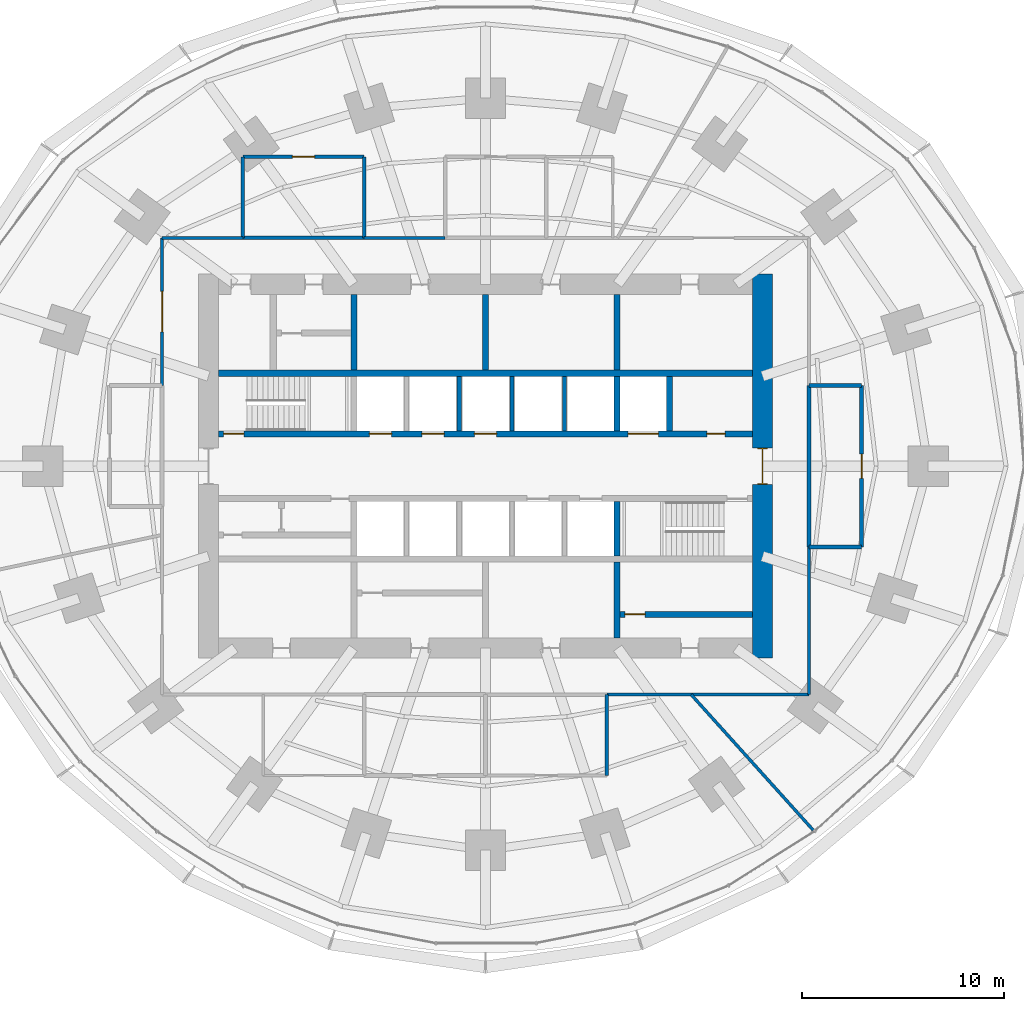
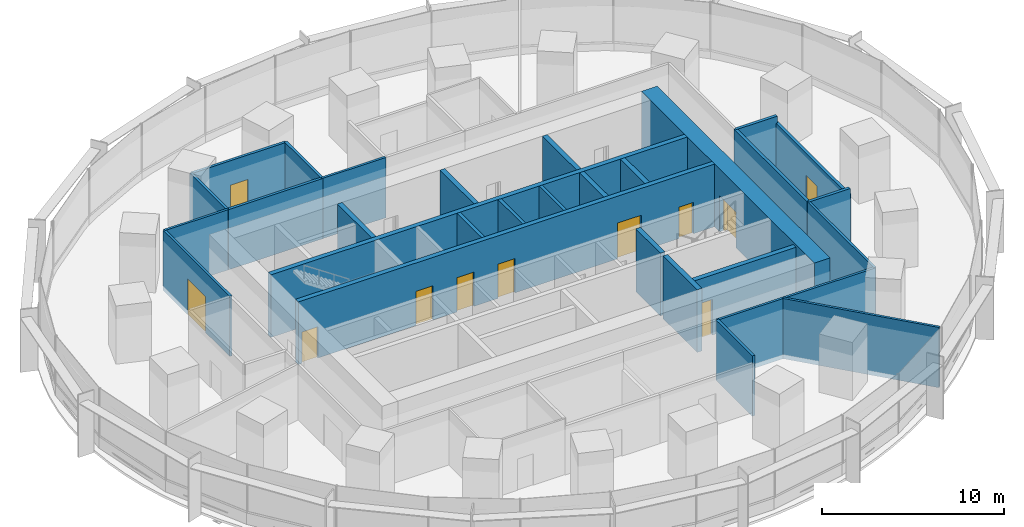
# One storey, part 12 of 15: 29 walls, 11 doors, 11 openings.
"""IFC4 building model written with IfcOpenShell, lengths in metres."""

from ifc_helpers import new_model, si_unit, direction, frame, frame_2d, origin, place, context, subcontext, project, spatial, rectangle, extrude, material, layer, layer_set, type_object, element, fill, save


model = new_model("IFC4")

# Units and contexts
model_context = context("Model", 3, precision=1e-05, world=origin(), true_north=direction((0.0, 1.0)))
body_context = subcontext(model_context, "Body", "Model", "MODEL_VIEW")
ifc_project = project(units=[si_unit("LENGTHUNIT", "METRE"), si_unit("AREAUNIT", "SQUARE_METRE"), si_unit("VOLUMEUNIT", "CUBIC_METRE"), si_unit("PLANEANGLEUNIT", "RADIAN"), si_unit("MASSUNIT", "GRAM", prefix="KILO")], contexts=[model_context])

# Site, building, storey
site_placement = place(None, origin())
site = spatial("IfcSite", under=ifc_project, at=site_placement, CompositionType="ELEMENT")
building_placement = place(site_placement, origin())
building = spatial("IfcBuilding", under=site, at=building_placement, Name="Marramba Exchange Tower", CompositionType="ELEMENT")
storey_placement = place(building_placement, frame((0.0, 0.0, 53.199951171875)))
storey = spatial("IfcBuildingStorey", under=building, at=storey_placement, Name="L12", CompositionType="ELEMENT", Elevation=53.199951171875)

# Walls
ifc_material_1 = material(Name="Plasterboard on staggered double steel studs, acoustic insulation", Category="steel")
ifc_layer_1 = layer(ifc_material_1, 0.169921875)
ifc_layer_set_1 = layer_set([ifc_layer_1], Name="Acoustic partition 170")
wall_type_1 = type_object("IfcWallType", Name="Acoustic partition 170", PredefinedType="PARTITIONING", material=ifc_layer_set_1)
for number, where, z_axis, x_axis, name in (
    (1, (6.0, -15.300048828125, 0.0), (0.0, 0.0, 1.0), (0.0, 1.0, 0.0), "Acoustic partition L12 13"),
    (2, (-6.0, 11.300048828125, 0.0), (0.0, 0.0, 1.0), (0.0, 1.0, 0.0), "Acoustic partition L12 31"),
):
    element("IfcWall", number, at=place(storey_placement, frame(where, z_axis=z_axis, x_axis=x_axis)), inside=storey, type_object=wall_type_1, Name=name, PredefinedType="PARTITIONING", context=body_context, shape_type="SweptSolid", body=[
        extrude(rectangle(XDim=4.0, YDim=0.169921875, at=frame_2d((2.0, 0.0))), origin(), (0.0, 0.0, 1.0), 4.0400390625),
    ])

# Wall, opening, door
wall_1_placement = place(storey_placement, frame((-6.0, 15.300048828125, 0.0), z_axis=(0.0, 0.0, 1.0), x_axis=(-1.0, 0.0, 0.0)))
wall_1 = element("IfcWall", 3, at=wall_1_placement, inside=storey, type_object=wall_type_1, Name="Acoustic partition L12 32", PredefinedType="PARTITIONING", context=body_context, shape_type="SweptSolid", body=[
    extrude(rectangle(XDim=6.0, YDim=0.169921875, at=frame_2d((3.0, 0.0))), origin(), (0.0, 0.0, 1.0), 4.0400390625),
])
opening_1_placement = place(wall_1_placement, frame((2.449951171875, 0.0, 0.0)))
opening_1 = element("IfcOpeningElement", 4, at=opening_1_placement, cuts=wall_1, Name="Opening D15", PredefinedType="OPENING", context=body_context, shape_type="SweptSolid", body=[
    extrude(rectangle(XDim=1.10009765625, YDim=2.39990234375, at=frame_2d((0.550048828125, 1.199951171875))), frame((0.0, 0.094970703125, 0.0), z_axis=(0.0, -1.0, 0.0), x_axis=(1.0, 0.0, 0.0)), (0.0, 0.0, 1.0), 0.18994140625),
])
ifc_material_2 = material(Name="Timber door", Category="wood")
door_type_1 = type_object("IfcDoorType", Name="Glazed meeting room door 1100x2400", OperationType="SINGLE_SWING_LEFT", PredefinedType="DOOR", material=ifc_material_2)
door_1_placement = place(opening_1_placement, origin())
door_1 = element("IfcDoor", 5, at=door_1_placement, inside=storey, type_object=door_type_1, Name="D15 Meeting Room 2 L12", OperationType="SINGLE_SWING_RIGHT", OverallHeight=2.39990234375, OverallWidth=1.10009765625, PredefinedType="DOOR", context=body_context, shape_type="SweptSolid", body=[
    extrude(rectangle(XDim=1.10009765625, YDim=2.39990234375, at=frame_2d((0.550048828125, 1.199951171875))), frame((0.0, 0.02490234375, 0.0), z_axis=(0.0, -1.0, 0.0), x_axis=(1.0, 0.0, 0.0)), (0.0, 0.0, 1.0), 0.050048828125),
])
fill(opening_1, door_1)

# Walls
wall_2_placement = place(storey_placement, frame((-12.0, 11.300048828125, 0.0), z_axis=(0.0, 0.0, 1.0), x_axis=(1.0, 0.0, 0.0)))
element("IfcWall", 6, at=wall_2_placement, inside=storey, type_object=wall_type_1, Name="Acoustic partition L12 33", PredefinedType="PARTITIONING", context=body_context, shape_type="SweptSolid", body=[
    extrude(rectangle(XDim=6.0, YDim=0.169921875, at=frame_2d((3.0, 0.0))), origin(), (0.0, 0.0, 1.0), 4.0400390625),
])
wall_3_placement = place(storey_placement, frame((-12.0, 15.300048828125, 0.0), z_axis=(0.0, 0.0, 1.0), x_axis=(0.0, -1.0, 0.0)))
element("IfcWall", 7, at=wall_3_placement, inside=storey, type_object=wall_type_1, Name="Acoustic partition L12 34", PredefinedType="PARTITIONING", context=body_context, shape_type="SweptSolid", body=[
    extrude(rectangle(XDim=4.0, YDim=0.169921875, at=frame_2d((2.0, 0.0))), origin(), (0.0, 0.0, 1.0), 4.0400390625),
])
ifc_material_3 = material(Name="Concrete N50", Category="concrete")
ifc_layer_2 = layer(ifc_material_3, 0.199951171875)
ifc_layer_set_2 = layer_set([ifc_layer_2], Name="Core shaft wall 200")
wall_type_2 = type_object("IfcWallType", Name="Core shaft wall 200", PredefinedType="SHEAR", material=ifc_layer_set_2)
for number, where, z_axis, x_axis, name in (
    (8, (-1.300048828125, 1.75, 0.0), (0.0, 0.0, 1.0), (0.0, 1.0, 0.0), "Core wall SHN2 L12"),
    (9, (1.300048828125, 1.75, 0.0), (0.0, 0.0, 1.0), (0.0, 1.0, 0.0), "Core wall SHN3 L12"),
    (10, (3.89990234375, 1.75, 0.0), (0.0, 0.0, 1.0), (0.0, 1.0, 0.0), "Core wall SHN4 L12"),
):
    element("IfcWall", number, at=place(storey_placement, frame(where, z_axis=z_axis, x_axis=x_axis)), inside=storey, type_object=wall_type_2, Name=name, PredefinedType="SHEAR", context=body_context, shape_type="SweptSolid", body=[
        extrude(rectangle(XDim=2.699951171875, YDim=0.199951171875, at=frame_2d((1.35009765625, 0.0))), origin(), (0.0, 0.0, 1.0), 4.199951171875),
    ])

# Wall, opening, door
ifc_layer_3 = layer(ifc_material_3, 1.0)
ifc_layer_set_3 = layer_set([ifc_layer_3], Name="Core wall 1000")
wall_type_3 = type_object("IfcWallType", Name="Core wall 1000", PredefinedType="SHEAR", material=ifc_layer_set_3)
wall_4_placement = place(storey_placement, frame((13.699951171875, -9.5, 0.0), z_axis=(0.0, 0.0, 1.0), x_axis=(0.0, 1.0, 0.0)))
wall_4 = element("IfcWall", 11, at=wall_4_placement, inside=storey, type_object=wall_type_3, Name="Core wall E L12", PredefinedType="SHEAR", context=body_context, shape_type="SweptSolid", body=[
    extrude(rectangle(XDim=19.0, YDim=1.0, at=frame_2d((9.5, 0.0))), origin(), (0.0, 0.0, 1.0), 4.199951171875),
])
opening_2_placement = place(wall_4_placement, frame((8.60009765625, 0.0, 0.0)))
opening_2 = element("IfcOpeningElement", 12, at=opening_2_placement, cuts=wall_4, Name="Opening D1", PredefinedType="OPENING", context=body_context, shape_type="SweptSolid", body=[
    extrude(rectangle(XDim=1.800048828125, YDim=2.39990234375, at=frame_2d((0.89990234375, 1.199951171875))), frame((0.0, 0.510009765625, 0.0), z_axis=(0.0, -1.0, 0.0), x_axis=(1.0, 0.0, 0.0)), (0.0, 0.0, 1.0), 1.02001953125),
])
ifc_material_4 = material(Name="Steel-framed door", Category="steel")
door_type_2 = type_object("IfcDoorType", Name="Lobby exit door 1800x2400", OperationType="DOUBLE_DOOR_SINGLE_SWING", PredefinedType="DOOR", material=ifc_material_4)
door_2_placement = place(opening_2_placement, origin())
door_2 = element("IfcDoor", 13, at=door_2_placement, inside=storey, type_object=door_type_2, Name="D1 lobby exit east L12", OperationType="DOUBLE_DOOR_SINGLE_SWING", OverallHeight=2.39990234375, OverallWidth=1.800048828125, PredefinedType="DOOR", context=body_context, shape_type="SweptSolid", body=[
    extrude(rectangle(XDim=1.719970703125, YDim=2.35986328125, at=frame_2d((0.89990234375, 1.179931640625))), frame((0.0, 0.02490234375, 0.0), z_axis=(0.0, -1.0, 0.0), x_axis=(1.0, 0.0, 0.0)), (0.0, 0.0, 1.0), 0.050048828125),
    extrude(rectangle(XDim=0.04, YDim=2.39990234375, at=frame_2d((0.02001953125, 1.199951171875))), frame((0.0, 0.25, 0.0), z_axis=(0.0, -1.0, 0.0), x_axis=(1.0, 0.0, 0.0)), (0.0, 0.0, 1.0), 0.5),
    extrude(rectangle(XDim=0.04, YDim=2.39990234375, at=frame_2d((1.780029296875, 1.199951171875))), frame((0.0, 0.25, 0.0), z_axis=(0.0, -1.0, 0.0), x_axis=(1.0, 0.0, 0.0)), (0.0, 0.0, 1.0), 0.5),
    extrude(rectangle(XDim=1.719970703125, YDim=0.04, at=frame_2d((0.89990234375, 2.3798828125))), frame((0.0, 0.25, 0.0), z_axis=(0.0, -1.0, 0.0), x_axis=(1.0, 0.0, 0.0)), (0.0, 0.0, 1.0), 0.5),
])
fill(opening_2, door_2)

# Wall, openings, doors
ifc_layer_4 = layer(ifc_material_3, 0.300048828125)
ifc_layer_set_4 = layer_set([ifc_layer_4], Name="Core wall 300")
wall_type_4 = type_object("IfcWallType", Name="Core wall 300", PredefinedType="SHEAR", material=ifc_layer_set_4)
wall_5_placement = place(storey_placement, frame((-13.199951171875, 1.60009765625, 0.0), z_axis=(0.0, 0.0, 1.0), x_axis=(1.0, 0.0, 0.0)))
wall_5 = element("IfcWall", 14, at=wall_5_placement, inside=storey, type_object=wall_type_4, Name="Core wall LN L12", PredefinedType="SHEAR", context=body_context, shape_type="SweptSolid", body=[
    extrude(rectangle(XDim=26.39990234375, YDim=0.300048828125, at=frame_2d((13.199951171875, 0.0))), origin(), (0.0, 0.0, 1.0), 4.199951171875),
])
opening_3_placement = place(wall_5_placement, frame((0.25, 0.0, 0.0)))
opening_3 = element("IfcOpeningElement", 15, at=opening_3_placement, cuts=wall_5, Name="Opening D2", PredefinedType="OPENING", context=body_context, shape_type="SweptSolid", body=[
    extrude(rectangle(XDim=1.0, YDim=2.10009765625, at=frame_2d((0.5, 1.050048828125))), frame((0.0, 0.159912109375, 0.0), z_axis=(0.0, -1.0, 0.0), x_axis=(1.0, 0.0, 0.0)), (0.0, 0.0, 1.0), 0.320068359375),
])
opening_4_placement = place(wall_5_placement, frame((20.25, 0.0, 0.0)))
opening_4 = element("IfcOpeningElement", 16, at=opening_4_placement, cuts=wall_5, Name="Opening LD3", PredefinedType="OPENING", context=body_context, shape_type="SweptSolid", body=[
    extrude(rectangle(XDim=1.5, YDim=2.39990234375, at=frame_2d((0.75, 1.199951171875))), frame((0.0, 0.159912109375, 0.0), z_axis=(0.0, -1.0, 0.0), x_axis=(1.0, 0.0, 0.0)), (0.0, 0.0, 1.0), 0.320068359375),
])
opening_5_placement = place(wall_5_placement, frame((7.449951171875, 0.0, 0.0)))
opening_5 = element("IfcOpeningElement", 17, at=opening_5_placement, cuts=wall_5, Name="Opening LD1", PredefinedType="OPENING", context=body_context, shape_type="SweptSolid", body=[
    extrude(rectangle(XDim=1.10009765625, YDim=2.300048828125, at=frame_2d((0.550048828125, 1.14990234375))), frame((0.0, 0.159912109375, 0.0), z_axis=(0.0, -1.0, 0.0), x_axis=(1.0, 0.0, 0.0)), (0.0, 0.0, 1.0), 0.320068359375),
])
opening_6_placement = place(wall_5_placement, frame((10.050048828125, 0.0, 0.0)))
opening_6 = element("IfcOpeningElement", 18, at=opening_6_placement, cuts=wall_5, Name="Opening LD1", PredefinedType="OPENING", context=body_context, shape_type="SweptSolid", body=[
    extrude(rectangle(XDim=1.10009765625, YDim=2.300048828125, at=frame_2d((0.550048828125, 1.14990234375))), frame((0.0, 0.159912109375, 0.0), z_axis=(0.0, -1.0, 0.0), x_axis=(1.0, 0.0, 0.0)), (0.0, 0.0, 1.0), 0.320068359375),
])
opening_7_placement = place(wall_5_placement, frame((12.64990234375, 0.0, 0.0)))
opening_7 = element("IfcOpeningElement", 19, at=opening_7_placement, cuts=wall_5, Name="Opening LD1", PredefinedType="OPENING", context=body_context, shape_type="SweptSolid", body=[
    extrude(rectangle(XDim=1.10009765625, YDim=2.300048828125, at=frame_2d((0.550048828125, 1.14990234375))), frame((0.0, 0.159912109375, 0.0), z_axis=(0.0, -1.0, 0.0), x_axis=(1.0, 0.0, 0.0)), (0.0, 0.0, 1.0), 0.320068359375),
])
opening_8_placement = place(wall_5_placement, frame((24.14990234375, 0.0, 0.0)))
opening_8 = element("IfcOpeningElement", 20, at=opening_8_placement, cuts=wall_5, Name="Opening D5", PredefinedType="OPENING", context=body_context, shape_type="SweptSolid", body=[
    extrude(rectangle(XDim=0.89990234375, YDim=2.10009765625, at=frame_2d((0.449951171875, 1.050048828125))), frame((0.0, 0.159912109375, 0.0), z_axis=(0.0, -1.0, 0.0), x_axis=(1.0, 0.0, 0.0)), (0.0, 0.0, 1.0), 0.320068359375),
])
door_type_3 = type_object("IfcDoorType", Name="Goods lift landing door 1500x2400", OperationType="SLIDING_TO_LEFT", PredefinedType="DOOR", material=ifc_material_4)
door_3_placement = place(opening_4_placement, origin())
door_3 = element("IfcDoor", 21, at=door_3_placement, inside=storey, type_object=door_type_3, Name="GL1 landing door L12", OperationType="SLIDING_TO_LEFT", OverallHeight=2.39990234375, OverallWidth=1.5, PredefinedType="DOOR", context=body_context, shape_type="SweptSolid", body=[
    extrude(rectangle(XDim=1.5, YDim=2.39990234375, at=frame_2d((0.75, 1.199951171875))), frame((0.0, 0.02490234375, 0.0), z_axis=(0.0, -1.0, 0.0), x_axis=(1.0, 0.0, 0.0)), (0.0, 0.0, 1.0), 0.050048828125),
])
fill(opening_4, door_3)
door_type_4 = type_object("IfcDoorType", Name="Lift landing door 1100x2300", OperationType="SLIDING_TO_LEFT", PredefinedType="DOOR", material=ifc_material_4)
door_4_placement = place(opening_5_placement, origin())
door_4 = element("IfcDoor", 22, at=door_4_placement, inside=storey, type_object=door_type_4, Name="LA1 landing door L12", OperationType="SLIDING_TO_LEFT", OverallHeight=2.300048828125, OverallWidth=1.10009765625, PredefinedType="DOOR", context=body_context, shape_type="SweptSolid", body=[
    extrude(rectangle(XDim=1.10009765625, YDim=2.300048828125, at=frame_2d((0.550048828125, 1.14990234375))), frame((0.0, 0.02490234375, 0.0), z_axis=(0.0, -1.0, 0.0), x_axis=(1.0, 0.0, 0.0)), (0.0, 0.0, 1.0), 0.050048828125),
])
fill(opening_5, door_4)
door_5_placement = place(opening_6_placement, origin())
door_5 = element("IfcDoor", 23, at=door_5_placement, inside=storey, type_object=door_type_4, Name="LA2 landing door L12", OperationType="SLIDING_TO_LEFT", OverallHeight=2.300048828125, OverallWidth=1.10009765625, PredefinedType="DOOR", context=body_context, shape_type="SweptSolid", body=[
    extrude(rectangle(XDim=1.10009765625, YDim=2.300048828125, at=frame_2d((0.550048828125, 1.14990234375))), frame((0.0, 0.02490234375, 0.0), z_axis=(0.0, -1.0, 0.0), x_axis=(1.0, 0.0, 0.0)), (0.0, 0.0, 1.0), 0.050048828125),
])
fill(opening_6, door_5)
door_6_placement = place(opening_7_placement, origin())
door_6 = element("IfcDoor", 24, at=door_6_placement, inside=storey, type_object=door_type_4, Name="LA3 landing door L12", OperationType="SLIDING_TO_RIGHT", OverallHeight=2.300048828125, OverallWidth=1.10009765625, PredefinedType="DOOR", context=body_context, shape_type="SweptSolid", body=[
    extrude(rectangle(XDim=1.10009765625, YDim=2.300048828125, at=frame_2d((0.550048828125, 1.14990234375))), frame((0.0, 0.02490234375, 0.0), z_axis=(0.0, -1.0, 0.0), x_axis=(1.0, 0.0, 0.0)), (0.0, 0.0, 1.0), 0.050048828125),
])
fill(opening_7, door_6)
door_type_5 = type_object("IfcDoorType", Name="Service door 900x2100", OperationType="SINGLE_SWING_LEFT", PredefinedType="DOOR", material=ifc_material_4)
door_7_placement = place(opening_8_placement, origin())
door_7 = element("IfcDoor", 25, at=door_7_placement, inside=storey, type_object=door_type_5, Name="D5 riser L12", OperationType="SINGLE_SWING_RIGHT", OverallHeight=2.10009765625, OverallWidth=0.89990234375, PredefinedType="DOOR", context=body_context, shape_type="SweptSolid", body=[
    extrude(rectangle(XDim=0.89990234375, YDim=2.10009765625, at=frame_2d((0.449951171875, 1.050048828125))), frame((0.0, 0.02490234375, 0.0), z_axis=(0.0, -1.0, 0.0), x_axis=(1.0, 0.0, 0.0)), (0.0, 0.0, 1.0), 0.050048828125),
])
fill(opening_8, door_7)
door_type_6 = type_object("IfcDoorType", Name="Stair door 1000x2100", OperationType="SINGLE_SWING_LEFT", PredefinedType="DOOR", material=ifc_material_4)
door_8_placement = place(opening_3_placement, origin())
door_8 = element("IfcDoor", 26, at=door_8_placement, inside=storey, type_object=door_type_6, Name="D2 stair ST1 L12", OperationType="SINGLE_SWING_LEFT", OverallHeight=2.10009765625, OverallWidth=1.0, PredefinedType="DOOR", context=body_context, shape_type="SweptSolid", body=[
    extrude(rectangle(XDim=1.0, YDim=2.10009765625, at=frame_2d((0.5, 1.050048828125))), frame((0.0, 0.02490234375, 0.0), z_axis=(0.0, -1.0, 0.0), x_axis=(1.0, 0.0, 0.0)), (0.0, 0.0, 1.0), 0.050048828125),
])
fill(opening_3, door_8)

# Walls
wall_6_placement = place(storey_placement, frame((-13.199951171875, 4.60009765625, 0.0), z_axis=(0.0, 0.0, 1.0), x_axis=(1.0, 0.0, 0.0)))
element("IfcWall", 27, at=wall_6_placement, inside=storey, type_object=wall_type_4, Name="Core wall BN L12", PredefinedType="SHEAR", context=body_context, shape_type="SweptSolid", body=[
    extrude(rectangle(XDim=26.39990234375, YDim=0.300048828125, at=frame_2d((13.199951171875, 0.0))), origin(), (0.0, 0.0, 1.0), 4.199951171875),
])
wall_7_placement = place(storey_placement, frame((-6.5, 4.75, 0.0), z_axis=(0.0, 0.0, 1.0), x_axis=(0.0, 1.0, 0.0)))
element("IfcWall", 28, at=wall_7_placement, inside=storey, type_object=wall_type_4, Name="Core wall X0Nb L12", PredefinedType="SHEAR", context=body_context, shape_type="SweptSolid", body=[
    extrude(rectangle(XDim=3.75, YDim=0.300048828125, at=frame_2d((1.875, 0.0))), origin(), (0.0, 0.0, 1.0), 4.199951171875),
])
wall_8_placement = place(storey_placement, frame((6.5, 1.75, 0.0), z_axis=(0.0, 0.0, 1.0), x_axis=(0.0, 1.0, 0.0)))
element("IfcWall", 29, at=wall_8_placement, inside=storey, type_object=wall_type_4, Name="Core wall X1Na L12", PredefinedType="SHEAR", context=body_context, shape_type="SweptSolid", body=[
    extrude(rectangle(XDim=2.699951171875, YDim=0.300048828125, at=frame_2d((1.35009765625, 0.0))), origin(), (0.0, 0.0, 1.0), 4.199951171875),
])
for number, where, z_axis, x_axis, name in (
    (30, (6.5, 4.75, 0.0), (0.0, 0.0, 1.0), (0.0, 1.0, 0.0), "Core wall X1Nb L12"),
    (31, (0.0, 4.75, 0.0), (0.0, 0.0, 1.0), (0.0, 1.0, 0.0), "Core wall MN L12"),
):
    element("IfcWall", number, at=place(storey_placement, frame(where, z_axis=z_axis, x_axis=x_axis)), inside=storey, type_object=wall_type_4, Name=name, PredefinedType="SHEAR", context=body_context, shape_type="SweptSolid", body=[
        extrude(rectangle(XDim=3.75, YDim=0.300048828125, at=frame_2d((1.875, 0.0))), origin(), (0.0, 0.0, 1.0), 4.199951171875),
    ])
wall_9_placement = place(storey_placement, frame((6.5, -1.75, 0.0), z_axis=(0.0, 0.0, 1.0), x_axis=(0.0, -1.0, 0.0)))
element("IfcWall", 32, at=wall_9_placement, inside=storey, type_object=wall_type_4, Name="Core wall X1Sa L12", PredefinedType="SHEAR", context=body_context, shape_type="SweptSolid", body=[
    extrude(rectangle(XDim=2.699951171875, YDim=0.300048828125, at=frame_2d((1.35009765625, 0.0))), origin(), (0.0, 0.0, 1.0), 4.199951171875),
])
wall_10_placement = place(storey_placement, frame((6.5, -4.75, 0.0), z_axis=(0.0, 0.0, 1.0), x_axis=(0.0, -1.0, 0.0)))
element("IfcWall", 33, at=wall_10_placement, inside=storey, type_object=wall_type_4, Name="Core wall X1Sb L12", PredefinedType="SHEAR", context=body_context, shape_type="SweptSolid", body=[
    extrude(rectangle(XDim=3.75, YDim=0.300048828125, at=frame_2d((1.875, 0.0))), origin(), (0.0, 0.0, 1.0), 4.199951171875),
])
wall_11_placement = place(storey_placement, frame((9.10009765625, 1.75, 0.0), z_axis=(0.0, 0.0, 1.0), x_axis=(0.0, 1.0, 0.0)))
element("IfcWall", 34, at=wall_11_placement, inside=storey, type_object=wall_type_4, Name="Core wall ED L12", PredefinedType="SHEAR", context=body_context, shape_type="SweptSolid", body=[
    extrude(rectangle(XDim=2.699951171875, YDim=0.300048828125, at=frame_2d((1.35009765625, 0.0))), origin(), (0.0, 0.0, 1.0), 4.199951171875),
])
ifc_material_5 = material(Name="Core-filled concrete blockwork, rendered", Category="masonry")
ifc_layer_5 = layer(ifc_material_5, 0.18994140625)
ifc_layer_set_5 = layer_set([ifc_layer_5], Name="Equipment room wall 190")
wall_type_5 = type_object("IfcWallType", Name="Equipment room wall 190", PredefinedType="SOLIDWALL", material=ifc_layer_set_5)
wall_12_placement = place(storey_placement, frame((16.0, -4.0, 0.0), z_axis=(0.0, 0.0, 1.0), x_axis=(1.0, 0.0, 0.0)))
element("IfcWall", 35, at=wall_12_placement, inside=storey, type_object=wall_type_5, Name="Equipment room wall L12 17", PredefinedType="SOLIDWALL", context=body_context, shape_type="SweptSolid", body=[
    extrude(rectangle(XDim=2.60009765625, YDim=0.18994140625, at=frame_2d((1.300048828125, 0.0))), origin(), (0.0, 0.0, 1.0), 4.0400390625),
])
wall_13_placement = place(storey_placement, frame((16.0, 4.0, 0.0), z_axis=(0.0, 0.0, 1.0), x_axis=(0.0, -1.0, 0.0)))
element("IfcWall", 36, at=wall_13_placement, inside=storey, type_object=wall_type_5, Name="Equipment room wall L12 18", PredefinedType="SOLIDWALL", context=body_context, shape_type="SweptSolid", body=[
    extrude(rectangle(XDim=8.0, YDim=0.18994140625, at=frame_2d((4.0, 0.0))), origin(), (0.0, 0.0, 1.0), 4.0400390625),
])

# Wall, opening, door
wall_14_placement = place(storey_placement, frame((18.60009765625, -4.0, 0.0), z_axis=(0.0, 0.0, 1.0), x_axis=(0.0, 1.0, 0.0)))
wall_14 = element("IfcWall", 37, at=wall_14_placement, inside=storey, type_object=wall_type_5, Name="Equipment room wall L12 19", PredefinedType="SOLIDWALL", context=body_context, shape_type="SweptSolid", body=[
    extrude(rectangle(XDim=8.0, YDim=0.18994140625, at=frame_2d((4.0, 0.0))), origin(), (0.0, 0.0, 1.0), 3.5859375),
])
opening_9_placement = place(wall_14_placement, frame((3.39990234375, 0.0, 0.0)))
opening_9 = element("IfcOpeningElement", 38, at=opening_9_placement, cuts=wall_14, Name="Opening D16", PredefinedType="OPENING", context=body_context, shape_type="SweptSolid", body=[
    extrude(rectangle(XDim=1.199951171875, YDim=2.10009765625, at=frame_2d((0.60009765625, 1.050048828125))), frame((0.0, 0.10498046875, 0.0), z_axis=(0.0, -1.0, 0.0), x_axis=(1.0, 0.0, 0.0)), (0.0, 0.0, 1.0), 0.2099609375),
])
door_type_7 = type_object("IfcDoorType", Name="Equipment room door 1200x2100", OperationType="SINGLE_SWING_LEFT", PredefinedType="DOOR", material=ifc_material_4)
door_9_placement = place(opening_9_placement, origin())
door_9 = element("IfcDoor", 39, at=door_9_placement, inside=storey, type_object=door_type_7, Name="D16 Data Room 1 L12", OperationType="SINGLE_SWING_RIGHT", OverallHeight=2.10009765625, OverallWidth=1.199951171875, PredefinedType="DOOR", context=body_context, shape_type="SweptSolid", body=[
    extrude(rectangle(XDim=1.199951171875, YDim=2.10009765625, at=frame_2d((0.60009765625, 1.050048828125))), frame((0.0, 0.02490234375, 0.0), z_axis=(0.0, -1.0, 0.0), x_axis=(1.0, 0.0, 0.0)), (0.0, 0.0, 1.0), 0.050048828125),
])
fill(opening_9, door_9)

# Wall
wall_15_placement = place(storey_placement, frame((18.60009765625, 4.0, 0.0), z_axis=(0.0, 0.0, 1.0), x_axis=(-1.0, 0.0, 0.0)))
element("IfcWall", 40, at=wall_15_placement, inside=storey, type_object=wall_type_5, Name="Equipment room wall L12 20", PredefinedType="SOLIDWALL", context=body_context, shape_type="SweptSolid", body=[
    extrude(rectangle(XDim=2.60009765625, YDim=0.18994140625, at=frame_2d((1.300048828125, 0.0))), origin(), (0.0, 0.0, 1.0), 4.0400390625),
])

# Wall, opening, door
ifc_material_6 = material(Name="Plasterboard on steel studs, insulated, unrated", Category="steel")
ifc_layer_6 = layer(ifc_material_6, 0.300048828125)
ifc_layer_set_6 = layer_set([ifc_layer_6], Name="Store partition 300")
wall_type_6 = type_object("IfcWallType", Name="Store partition 300", PredefinedType="PARTITIONING", material=ifc_layer_set_6)
wall_16_placement = place(storey_placement, frame((6.64990234375, -7.327880859375, 0.0), z_axis=(0.0, 0.0, 1.0), x_axis=(1.0, 0.0, 0.0)))
wall_16 = element("IfcWall", 41, at=wall_16_placement, inside=storey, type_object=wall_type_6, Name="Store partition L12 cstore", PredefinedType="PARTITIONING", context=body_context, shape_type="SweptSolid", body=[
    extrude(rectangle(XDim=6.550048828125, YDim=0.300048828125, at=frame_2d((3.27490234375, 0.0))), origin(), (0.0, 0.0, 1.0), 4.0400390625),
])
opening_10_placement = place(wall_16_placement, frame((0.25, 0.0, 0.0)))
opening_10 = element("IfcOpeningElement", 42, at=opening_10_placement, cuts=wall_16, Name="Opening D9", PredefinedType="OPENING", context=body_context, shape_type="SweptSolid", body=[
    extrude(rectangle(XDim=1.0, YDim=2.39990234375, at=frame_2d((0.5, 1.199951171875))), frame((0.0, 0.159912109375, 0.0), z_axis=(0.0, -1.0, 0.0), x_axis=(1.0, 0.0, 0.0)), (0.0, 0.0, 1.0), 0.320068359375),
])
door_type_8 = type_object("IfcDoorType", Name="Room door 1000x2400", OperationType="SINGLE_SWING_LEFT", PredefinedType="DOOR", material=ifc_material_2)
door_10_placement = place(opening_10_placement, frame((1.0, 0.0, 0.0), z_axis=(0.0, 0.0, 1.0), x_axis=(-1.0, 0.0, 0.0)))
door_10 = element("IfcDoor", 43, at=door_10_placement, inside=storey, type_object=door_type_8, Name="D9 general store L12", OperationType="SINGLE_SWING_RIGHT", OverallHeight=2.39990234375, OverallWidth=1.0, PredefinedType="DOOR", context=body_context, shape_type="SweptSolid", body=[
    extrude(rectangle(XDim=1.0, YDim=2.39990234375, at=frame_2d((0.5, 1.199951171875))), frame((0.0, 0.025146484375, 0.0), z_axis=(0.0, -1.0, 0.0), x_axis=(1.0, 0.0, 0.0)), (0.0, 0.0, 1.0), 0.050048828125),
])
fill(opening_10, door_10)

# Walls
ifc_material_7 = material(Name="Fire-rated plasterboard on steel studs, acoustic insulation", Category="steel")
ifc_layer_7 = layer(ifc_material_7, 0.14990234375)
ifc_layer_set_7 = layer_set([ifc_layer_7], Name="Tenancy wall 150")
wall_type_7 = type_object("IfcWallType", Name="Tenancy wall 150", PredefinedType="PARTITIONING", material=ifc_layer_set_7)
wall_17_placement = place(storey_placement, frame((16.21435546875, -18.0078125, 0.0), z_axis=(0.0, 0.0, 1.0), x_axis=(-0.669136564673, 0.743139460544, 0.0)))
element("IfcWall", 44, at=wall_17_placement, inside=storey, type_object=wall_type_7, Name="Tenancy wall L12 14", PredefinedType="PARTITIONING", context=body_context, shape_type="SweptSolid", body=[
    extrude(rectangle(XDim=9.0263671875, YDim=0.14990234375, at=frame_2d((4.51318359375, 0.0))), origin(), (0.0, 0.0, 1.0), 4.0400390625),
])
wall_18_placement = place(storey_placement, frame((6.0, -11.300048828125, 0.0), z_axis=(0.0, 0.0, 1.0), x_axis=(1.0, 0.0, 0.0)))
element("IfcWall", 45, at=wall_18_placement, inside=storey, type_object=wall_type_7, Name="Tenancy wall L12 15", PredefinedType="PARTITIONING", context=body_context, shape_type="SweptSolid", body=[
    extrude(rectangle(XDim=10.0, YDim=0.14990234375, at=frame_2d((5.0, 0.0))), origin(), (0.0, 0.0, 1.0), 4.0400390625),
])
wall_19_placement = place(storey_placement, frame((16.0, -11.300048828125, 0.0), z_axis=(0.0, 0.0, 1.0), x_axis=(0.0, 1.0, 0.0)))
element("IfcWall", 46, at=wall_19_placement, inside=storey, type_object=wall_type_7, Name="Tenancy wall L12 16", PredefinedType="PARTITIONING", context=body_context, shape_type="SweptSolid", body=[
    extrude(rectangle(XDim=7.300048828125, YDim=0.14990234375, at=frame_2d((3.64990234375, 0.0))), origin(), (0.0, 0.0, 1.0), 4.0400390625),
])
for number, where, z_axis, x_axis, name in (
    (47, (-2.0, 11.300048828125, 0.0), (0.0, 0.0, 1.0), (-1.0, 0.0, 0.0), "Tenancy wall L12 30"),
    (48, (-12.0, 11.300048828125, 0.0), (0.0, 0.0, 1.0), (-1.0, 0.0, 0.0), "Tenancy wall L12 35"),
):
    element("IfcWall", number, at=place(storey_placement, frame(where, z_axis=z_axis, x_axis=x_axis)), inside=storey, type_object=wall_type_7, Name=name, PredefinedType="PARTITIONING", context=body_context, shape_type="SweptSolid", body=[
        extrude(rectangle(XDim=4.0, YDim=0.14990234375, at=frame_2d((2.0, 0.0))), origin(), (0.0, 0.0, 1.0), 4.0400390625),
    ])

# Wall, opening, door
wall_20_placement = place(storey_placement, frame((-16.0, 11.300048828125, 0.0), z_axis=(0.0, 0.0, 1.0), x_axis=(0.0, -1.0, 0.0)))
wall_20 = element("IfcWall", 49, at=wall_20_placement, inside=storey, type_object=wall_type_7, Name="Tenancy wall L12 36", PredefinedType="PARTITIONING", context=body_context, shape_type="SweptSolid", body=[
    extrude(rectangle(XDim=7.300048828125, YDim=0.14990234375, at=frame_2d((3.64990234375, 0.0))), origin(), (0.0, 0.0, 1.0), 4.0400390625),
])
opening_11_placement = place(wall_20_placement, frame((2.64990234375, 0.0, 0.0)))
opening_11 = element("IfcOpeningElement", 50, at=opening_11_placement, cuts=wall_20, Name="Opening D17", PredefinedType="OPENING", context=body_context, shape_type="SweptSolid", body=[
    extrude(rectangle(XDim=2.0, YDim=2.39990234375, at=frame_2d((1.0, 1.199951171875))), frame((0.0, 0.0849609375, 0.0), z_axis=(0.0, -1.0, 0.0), x_axis=(1.0, 0.0, 0.0)), (0.0, 0.0, 1.0), 0.169921875),
])
door_type_9 = type_object("IfcDoorType", Name="Trading floor entry door pair 2000x2400", OperationType="DOUBLE_DOOR_SINGLE_SWING", PredefinedType="DOOR", material=ifc_material_4)
door_11_placement = place(opening_11_placement, origin())
door_11 = element("IfcDoor", 51, at=door_11_placement, inside=storey, type_object=door_type_9, Name="D17 Trading Floor 2 L12", OperationType="DOUBLE_DOOR_SINGLE_SWING", OverallHeight=2.39990234375, OverallWidth=2.0, PredefinedType="DOOR", context=body_context, shape_type="SweptSolid", body=[
    extrude(rectangle(XDim=2.0, YDim=2.39990234375, at=frame_2d((1.0, 1.199951171875))), frame((0.0, 0.02490234375, 0.0), z_axis=(0.0, -1.0, 0.0), x_axis=(1.0, 0.0, 0.0)), (0.0, 0.0, 1.0), 0.050048828125),
])
fill(opening_11, door_11)

save(model, "model.ifc")
